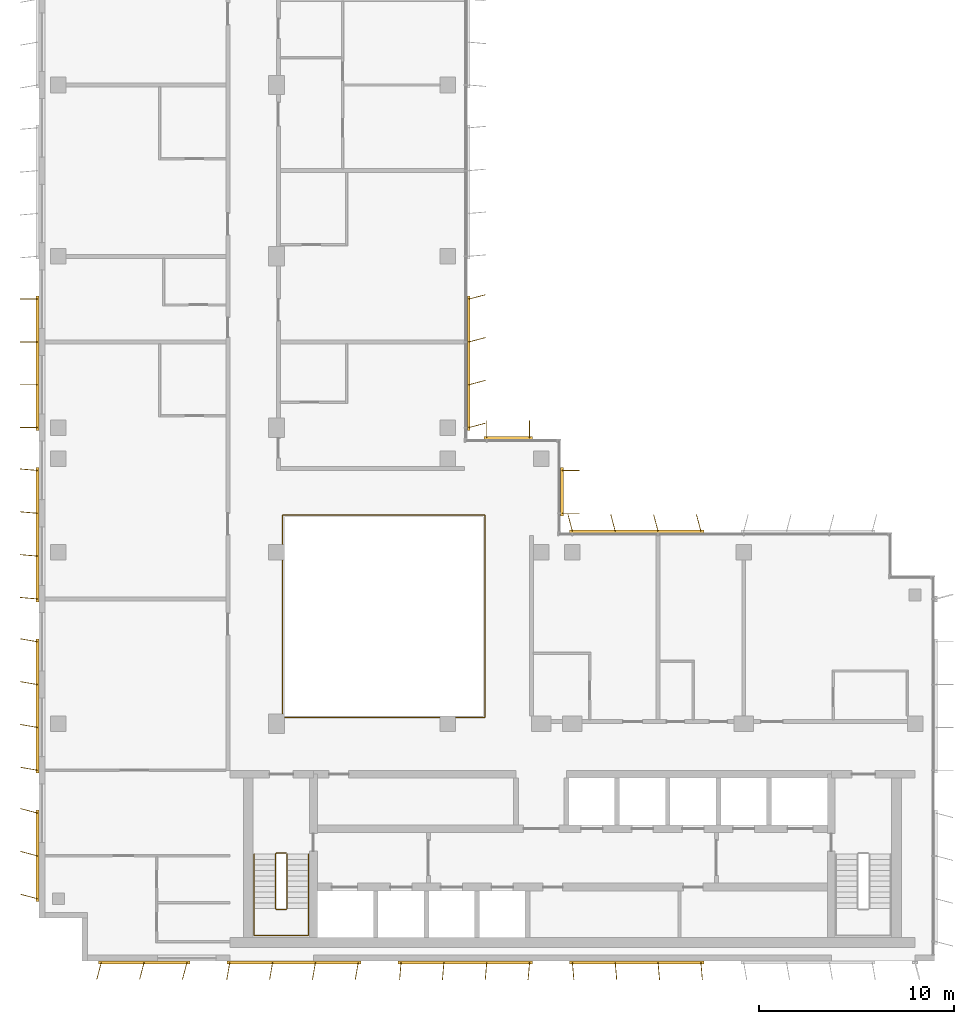
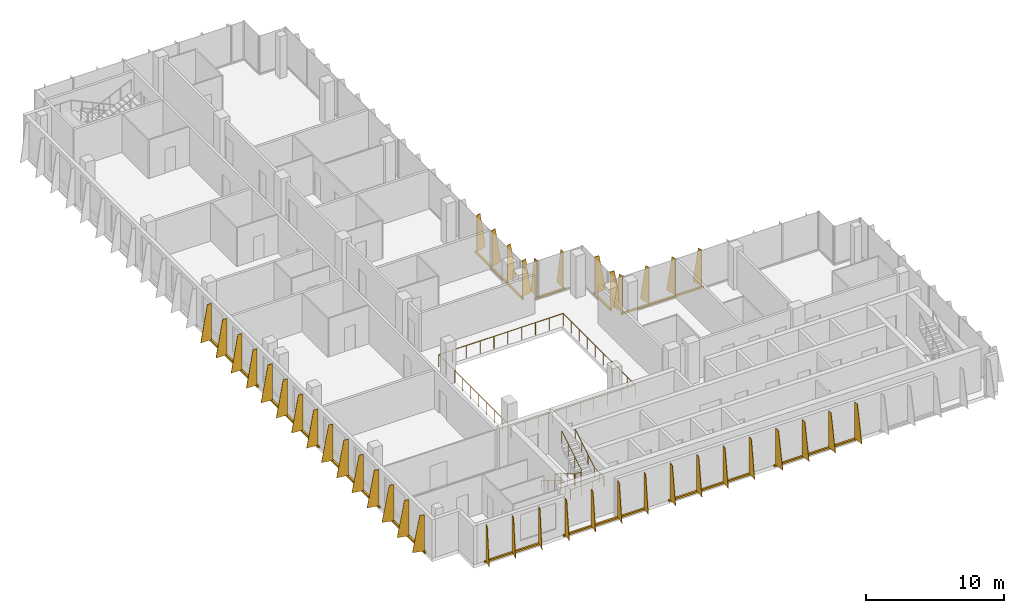
# One storey, part 13 of 15: 12 shading devices, 3 railings.
"""IFC4 building model written with IfcOpenShell, lengths in metres."""

from ifc_helpers import new_model, si_unit, direction, frame, origin, origin_2d, place, context, subcontext, project, spatial, polyline, rectangle, circle, outline, extrude, source, transform, mapped, material, layer, layer_set, type_object, element, save


model = new_model("IFC4")

# Units and contexts
model_context = context("Model", 3, precision=1e-05, world=origin(), true_north=direction((0.0, 1.0)))
body_context = subcontext(model_context, "Body", "Model", "MODEL_VIEW")
ifc_project = project(units=[si_unit("LENGTHUNIT", "METRE"), si_unit("AREAUNIT", "SQUARE_METRE"), si_unit("VOLUMEUNIT", "CUBIC_METRE"), si_unit("PLANEANGLEUNIT", "RADIAN"), si_unit("MASSUNIT", "GRAM", prefix="KILO")], contexts=[model_context])

# Site, building, storey
site_placement = place(None, origin())
site = spatial("IfcSite", under=ifc_project, at=site_placement, CompositionType="ELEMENT")
building_placement = place(site_placement, origin())
building = spatial("IfcBuilding", under=site, at=building_placement, Name="Kemantara Hotel Tower", CompositionType="ELEMENT")
storey_placement = place(building_placement, frame((0.0, 0.0, 261.10009765625)))
storey = spatial("IfcBuildingStorey", under=building, at=storey_placement, Name="L65", CompositionType="ELEMENT", Elevation=261.10009765625)

# Railings
ifc_material_1 = material(Name="Stainless steel and laminated glass balustrade", Category="steel")
railing_type_1 = type_object("IfcRailingType", Name="ATRIUM GUARD 1100", PredefinedType="GUARDRAIL", material=ifc_material_1)
railing_1_placement = place(storey_placement, frame((12.56005859375, 12.5, 0.0)))
element("IfcRailing", 1, at=railing_1_placement, inside=storey, type_object=railing_type_1, Name="ATRIUM GUARD L65", PredefinedType="GUARDRAIL", context=body_context, shape_type="SweptSolid", body=[
    extrude(circle(Radius=0.02490234375, at=origin_2d()), frame((0.0, 0.0, 1.0751953125), z_axis=(1.0, 0.0, 0.0), x_axis=(0.0, 1.0, 0.0)), (0.0, 0.0, 1.0), 10.33984375),
    extrude(circle(Radius=0.02490234375, at=origin_2d()), frame((10.33984375, 0.0, 1.0751953125), z_axis=(0.0, 1.0, 0.0), x_axis=(-1.0, 0.0, 0.0)), (0.0, 0.0, 1.0), 10.39990234375),
    extrude(circle(Radius=0.02490234375, at=origin_2d()), frame((10.33984375, 10.39990234375, 1.0751953125), z_axis=(-1.0, 0.0, 0.0), x_axis=(0.0, -1.0, 0.0)), (0.0, 0.0, 1.0), 10.39990234375),
    extrude(circle(Radius=0.02490234375, at=origin_2d()), frame((-0.06005859375, 10.39990234375, 1.0751953125), z_axis=(0.0, -1.0, 0.0), x_axis=(1.0, 0.0, 0.0)), (0.0, 0.0, 1.0), 10.39990234375),
    extrude(circle(Radius=0.02001953125, at=origin_2d()), origin(), (0.0, 0.0, 1.0), 1.050048828125),
    extrude(circle(Radius=0.02001953125, at=origin_2d()), frame((1.14892578125, 0.0, 0.0)), (0.0, 0.0, 1.0), 1.050048828125),
    extrude(circle(Radius=0.02001953125, at=origin_2d()), frame((2.2978515625, 0.0, 0.0)), (0.0, 0.0, 1.0), 1.050048828125),
    extrude(circle(Radius=0.02001953125, at=origin_2d()), frame((3.446533203125, 0.0, 0.0)), (0.0, 0.0, 1.0), 1.050048828125),
    extrude(circle(Radius=0.02001953125, at=origin_2d()), frame((4.595458984375, 0.0, 0.0)), (0.0, 0.0, 1.0), 1.050048828125),
    extrude(circle(Radius=0.02001953125, at=origin_2d()), frame((5.744384765625, 0.0, 0.0)), (0.0, 0.0, 1.0), 1.050048828125),
    extrude(circle(Radius=0.02001953125, at=origin_2d()), frame((6.893310546875, 0.0, 0.0)), (0.0, 0.0, 1.0), 1.050048828125),
    extrude(circle(Radius=0.02001953125, at=origin_2d()), frame((8.0419921875, 0.0, 0.0)), (0.0, 0.0, 1.0), 1.050048828125),
    extrude(circle(Radius=0.02001953125, at=origin_2d()), frame((9.19091796875, 0.0, 0.0)), (0.0, 0.0, 1.0), 1.050048828125),
    extrude(circle(Radius=0.02001953125, at=origin_2d()), frame((10.33984375, 0.0, 0.0)), (0.0, 0.0, 1.0), 1.050048828125),
    extrude(circle(Radius=0.02001953125, at=origin_2d()), frame((10.33984375, 1.155517578125, 0.0)), (0.0, 0.0, 1.0), 1.050048828125),
    extrude(circle(Radius=0.02001953125, at=origin_2d()), frame((10.33984375, 2.31103515625, 0.0)), (0.0, 0.0, 1.0), 1.050048828125),
    extrude(circle(Radius=0.02001953125, at=origin_2d()), frame((10.33984375, 3.466552734375, 0.0)), (0.0, 0.0, 1.0), 1.050048828125),
    extrude(circle(Radius=0.02001953125, at=origin_2d()), frame((10.33984375, 4.6220703125, 0.0)), (0.0, 0.0, 1.0), 1.050048828125),
    extrude(circle(Radius=0.02001953125, at=origin_2d()), frame((10.33984375, 5.77783203125, 0.0)), (0.0, 0.0, 1.0), 1.050048828125),
    extrude(circle(Radius=0.02001953125, at=origin_2d()), frame((10.33984375, 6.933349609375, 0.0)), (0.0, 0.0, 1.0), 1.050048828125),
    extrude(circle(Radius=0.02001953125, at=origin_2d()), frame((10.33984375, 8.0888671875, 0.0)), (0.0, 0.0, 1.0), 1.050048828125),
    extrude(circle(Radius=0.02001953125, at=origin_2d()), frame((10.33984375, 9.244384765625, 0.0)), (0.0, 0.0, 1.0), 1.050048828125),
    extrude(circle(Radius=0.02001953125, at=origin_2d()), frame((10.33984375, 10.39990234375, 0.0)), (0.0, 0.0, 1.0), 1.050048828125),
    extrude(circle(Radius=0.02001953125, at=origin_2d()), frame((9.184326171875, 10.39990234375, 0.0)), (0.0, 0.0, 1.0), 1.050048828125),
    extrude(circle(Radius=0.02001953125, at=origin_2d()), frame((8.02880859375, 10.39990234375, 0.0)), (0.0, 0.0, 1.0), 1.050048828125),
    extrude(circle(Radius=0.02001953125, at=origin_2d()), frame((6.873291015625, 10.39990234375, 0.0)), (0.0, 0.0, 1.0), 1.050048828125),
    extrude(circle(Radius=0.02001953125, at=origin_2d()), frame((5.7177734375, 10.39990234375, 0.0)), (0.0, 0.0, 1.0), 1.050048828125),
    extrude(circle(Radius=0.02001953125, at=origin_2d()), frame((4.56201171875, 10.39990234375, 0.0)), (0.0, 0.0, 1.0), 1.050048828125),
    extrude(circle(Radius=0.02001953125, at=origin_2d()), frame((3.406494140625, 10.39990234375, 0.0)), (0.0, 0.0, 1.0), 1.050048828125),
    extrude(circle(Radius=0.02001953125, at=origin_2d()), frame((2.2509765625, 10.39990234375, 0.0)), (0.0, 0.0, 1.0), 1.050048828125),
    extrude(circle(Radius=0.02001953125, at=origin_2d()), frame((1.095458984375, 10.39990234375, 0.0)), (0.0, 0.0, 1.0), 1.050048828125),
    extrude(circle(Radius=0.02001953125, at=origin_2d()), frame((-0.06005859375, 10.39990234375, 0.0)), (0.0, 0.0, 1.0), 1.050048828125),
    extrude(circle(Radius=0.02001953125, at=origin_2d()), frame((-0.06005859375, 9.244384765625, 0.0)), (0.0, 0.0, 1.0), 1.050048828125),
    extrude(circle(Radius=0.02001953125, at=origin_2d()), frame((-0.06005859375, 8.0888671875, 0.0)), (0.0, 0.0, 1.0), 1.050048828125),
    extrude(circle(Radius=0.02001953125, at=origin_2d()), frame((-0.06005859375, 6.933349609375, 0.0)), (0.0, 0.0, 1.0), 1.050048828125),
    extrude(circle(Radius=0.02001953125, at=origin_2d()), frame((-0.06005859375, 5.77783203125, 0.0)), (0.0, 0.0, 1.0), 1.050048828125),
    extrude(circle(Radius=0.02001953125, at=origin_2d()), frame((-0.06005859375, 4.6220703125, 0.0)), (0.0, 0.0, 1.0), 1.050048828125),
    extrude(circle(Radius=0.02001953125, at=origin_2d()), frame((-0.06005859375, 3.466552734375, 0.0)), (0.0, 0.0, 1.0), 1.050048828125),
    extrude(circle(Radius=0.02001953125, at=origin_2d()), frame((-0.06005859375, 2.31103515625, 0.0)), (0.0, 0.0, 1.0), 1.050048828125),
    extrude(circle(Radius=0.02001953125, at=origin_2d()), frame((-0.06005859375, 1.155517578125, 0.0)), (0.0, 0.0, 1.0), 1.050048828125),
    extrude(circle(Radius=0.02001953125, at=origin_2d()), frame((-0.06005859375, 0.0, 0.0)), (0.0, 0.0, 1.0), 1.050048828125),
])
ifc_material_2 = material(Name="Stainless steel balustrade", Category="steel")
railing_type_2 = type_object("IfcRailingType", Name="Stair guard 1100 mm", PredefinedType="GUARDRAIL", material=ifc_material_2)
railing_2_placement = place(storey_placement, frame((12.75, 5.5, 3.699951171875)))
element("IfcRailing", 2, at=railing_2_placement, inside=storey, type_object=railing_type_2, Name="L65 ST1 stair guard 1", PredefinedType="GUARDRAIL", context=body_context, shape_type="SweptSolid", body=[
    extrude(circle(Radius=0.02392578125, at=origin_2d()), frame((0.0, 0.0, 1.076171875), z_axis=(0.0, -0.857242210791, -0.514913383045), x_axis=(1.0, 0.0, 0.0)), (0.0, 0.0, 1.0), 3.266357421875),
    extrude(circle(Radius=0.02392578125, at=origin_2d()), frame((0.0, -2.800048828125, -0.60595703125), z_axis=(-0.274243871929, -0.274243871929, -0.92172696468), x_axis=(0.707106781187, -0.707106781187, 0.0)), (0.0, 0.0, 1.0), 0.1826171875),
    extrude(circle(Radius=0.02392578125, at=origin_2d()), frame((-0.050048828125, -2.85009765625, -0.77392578125), z_axis=(-1.0, 0.0, 0.0), x_axis=(0.0, -1.0, 0.0)), (0.0, 0.0, 1.0), 0.5),
    extrude(circle(Radius=0.02392578125, at=origin_2d()), frame((-0.550048828125, -2.85009765625, -0.77392578125), z_axis=(-0.707106781187, 0.707106781187, 0.0), x_axis=(-0.707106781187, -0.707106781187, 0.0)), (0.0, 0.0, 1.0), 0.07080078125),
    extrude(circle(Radius=0.02392578125, at=origin_2d()), frame((-0.60009765625, -2.800048828125, -0.77392578125), z_axis=(0.0, 0.857242210791, -0.514913383045), x_axis=(-1.0, 0.0, 0.0)), (0.0, 0.0, 1.0), 3.266357421875),
    extrude(circle(Radius=0.02392578125, at=origin_2d()), frame((-0.60009765625, 0.0, -2.4560546875), z_axis=(0.274582412415, 0.274582412415, -0.921525364591), x_axis=(-0.707106781187, 0.707106781187, 0.0)), (0.0, 0.0, 1.0), 0.182373046875),
    extrude(circle(Radius=0.02392578125, at=origin_2d()), frame((-0.550048828125, 0.050048828125, -2.6240234375), z_axis=(1.0, 0.0, 0.0), x_axis=(0.0, 1.0, 0.0)), (0.0, 0.0, 1.0), 0.5),
    extrude(circle(Radius=0.02099609375, at=origin_2d()), origin(), (0.0, 0.0, 1.0), 1.052001953125),
    extrude(circle(Radius=0.02099609375, at=origin_2d()), frame((0.0, -0.933349609375, -0.560546875)), (0.0, 0.0, 1.0), 1.052001953125),
    extrude(circle(Radius=0.02099609375, at=origin_2d()), frame((0.0, -1.86669921875, -1.121337890625)), (0.0, 0.0, 1.0), 1.052001953125),
    extrude(circle(Radius=0.02099609375, at=origin_2d()), frame((0.0, -2.800048828125, -1.681884765625)), (0.0, 0.0, 1.0), 1.052001953125),
    extrude(circle(Radius=0.02099609375, at=origin_2d()), frame((-0.050048828125, -2.85009765625, -1.85009765625)), (0.0, 0.0, 1.0), 1.052001953125),
    extrude(circle(Radius=0.02099609375, at=origin_2d()), frame((-0.550048828125, -2.85009765625, -1.85009765625)), (0.0, 0.0, 1.0), 1.052001953125),
    extrude(circle(Radius=0.02099609375, at=origin_2d()), frame((-0.60009765625, -2.800048828125, -1.85009765625)), (0.0, 0.0, 1.0), 1.052001953125),
    extrude(circle(Radius=0.02099609375, at=origin_2d()), frame((-0.60009765625, -1.86669921875, -2.41064453125)), (0.0, 0.0, 1.0), 1.052001953125),
    extrude(circle(Radius=0.02099609375, at=origin_2d()), frame((-0.60009765625, -0.933349609375, -2.971435546875)), (0.0, 0.0, 1.0), 1.052001953125),
    extrude(circle(Radius=0.02099609375, at=origin_2d()), frame((-0.60009765625, 0.0, -3.531982421875)), (0.0, 0.0, 1.0), 1.052001953125),
    extrude(circle(Radius=0.02099609375, at=origin_2d()), frame((-0.550048828125, 0.050048828125, -3.699951171875)), (0.0, 0.0, 1.0), 1.052001953125),
    extrude(circle(Radius=0.02099609375, at=origin_2d()), frame((-0.050048828125, 0.050048828125, -3.699951171875)), (0.0, 0.0, 1.0), 1.052001953125),
])
railing_type_3 = type_object("IfcRailingType", Name="Stair handrail 900 mm", PredefinedType="HANDRAIL", material=ifc_material_2)
railing_3_placement = place(storey_placement, frame((11.050048828125, 5.5, 0.16796875)))
element("IfcRailing", 3, at=railing_3_placement, inside=storey, type_object=railing_type_3, Name="L65 ST1 stair handrail 1", PredefinedType="HANDRAIL", context=body_context, shape_type="SweptSolid", body=[
    extrude(circle(Radius=0.02392578125, at=origin_2d()), frame((0.0, 0.0, 0.8759765625), z_axis=(0.0, -0.857242210791, 0.514913383045), x_axis=(1.0, 0.0, 0.0)), (0.0, 0.0, 1.0), 3.266357421875),
    extrude(circle(Radius=0.02392578125, at=origin_2d()), frame((0.0, -2.800048828125, 2.5576171875), z_axis=(0.0, -1.0, 0.0), x_axis=(1.0, 0.0, 0.0)), (0.0, 0.0, 1.0), 1.3798828125),
    extrude(circle(Radius=0.02392578125, at=origin_2d()), frame((0.0, -4.179931640625, 2.5576171875), z_axis=(0.998200367801, 0.0, 0.059966871865), x_axis=(0.0, 1.0, 0.0)), (0.0, 0.0, 1.0), 2.80517578125),
    extrude(circle(Radius=0.02392578125, at=origin_2d()), frame((2.800048828125, -4.179931640625, 2.72607421875), z_axis=(0.0, 1.0, 0.0), x_axis=(-1.0, 0.0, 0.0)), (0.0, 0.0, 1.0), 1.3798828125),
    extrude(circle(Radius=0.02392578125, at=origin_2d()), frame((2.800048828125, -2.800048828125, 2.72607421875), z_axis=(0.0, 0.857242210791, 0.514913383045), x_axis=(-1.0, 0.0, 0.0)), (0.0, 0.0, 1.0), 3.266357421875),
    extrude(circle(Radius=0.02099609375, at=origin_2d()), origin(), (0.0, 0.0, 1.0), 0.851806640625),
    extrude(circle(Radius=0.02099609375, at=origin_2d()), frame((0.0, -0.933349609375, 0.560546875)), (0.0, 0.0, 1.0), 0.851806640625),
    extrude(circle(Radius=0.02099609375, at=origin_2d()), frame((0.0, -1.86669921875, 1.121337890625)), (0.0, 0.0, 1.0), 0.851806640625),
    extrude(circle(Radius=0.02099609375, at=origin_2d()), frame((0.0, -2.800048828125, 1.681884765625)), (0.0, 0.0, 1.0), 0.851806640625),
    extrude(circle(Radius=0.02099609375, at=origin_2d()), frame((0.0, -3.489990234375, 1.681884765625)), (0.0, 0.0, 1.0), 0.851806640625),
    extrude(circle(Radius=0.02099609375, at=origin_2d()), frame((0.0, -4.179931640625, 1.681884765625)), (0.0, 0.0, 1.0), 0.851806640625),
    extrude(circle(Radius=0.02099609375, at=origin_2d()), frame((0.933349609375, -4.179931640625, 1.738037109375)), (0.0, 0.0, 1.0), 0.851806640625),
    extrude(circle(Radius=0.02099609375, at=origin_2d()), frame((1.86669921875, -4.179931640625, 1.7939453125)), (0.0, 0.0, 1.0), 0.851806640625),
    extrude(circle(Radius=0.02099609375, at=origin_2d()), frame((2.800048828125, -4.179931640625, 1.85009765625)), (0.0, 0.0, 1.0), 0.851806640625),
    extrude(circle(Radius=0.02099609375, at=origin_2d()), frame((2.800048828125, -3.489990234375, 1.85009765625)), (0.0, 0.0, 1.0), 0.851806640625),
    extrude(circle(Radius=0.02099609375, at=origin_2d()), frame((2.800048828125, -2.800048828125, 1.85009765625)), (0.0, 0.0, 1.0), 0.851806640625),
    extrude(circle(Radius=0.02099609375, at=origin_2d()), frame((2.800048828125, -1.86669921875, 2.41064453125)), (0.0, 0.0, 1.0), 0.851806640625),
    extrude(circle(Radius=0.02099609375, at=origin_2d()), frame((2.800048828125, -0.933349609375, 2.971435546875)), (0.0, 0.0, 1.0), 0.851806640625),
    extrude(circle(Radius=0.02099609375, at=origin_2d()), frame((2.800048828125, 0.0, 3.531982421875)), (0.0, 0.0, 1.0), 0.851806640625),
])

# Shading devices
ifc_material_3 = material(Name="Perforated aluminium plate 4 mm bronze anodised", Category="aluminium")
ifc_layer_1 = layer(ifc_material_3, 0.0400390625)
ifc_layer_set_1 = layer_set([ifc_layer_1], Name="Perforated aluminium plate 4 mm bronze anodised")
shading_device_type_1 = type_object("IfcShadingDeviceType", Name="SCREEN FIN CASSETTE, 3 BLADES AT -15.0 DEG, 3200 HIGH", PredefinedType="USERDEFINED", material=ifc_layer_set_1)
shared_shape_1 = source(origin(), body_context, "Body", "SweptSolid", [
    extrude(rectangle(XDim=4.699951171875, YDim=0.14990234375, at=origin_2d()), frame((2.199951171875, -0.074951171875, -0.14990234375), z_axis=(0.0, 0.0, 1.0), x_axis=(1.0, 0.0, 0.0)), (0.0, 0.0, 1.0), 0.14990234375),
    extrude(outline(polyline([(0.0, 0.0), (0.89990234375, 0.0), (0.35009765625, 3.199951171875), (0.0, 3.199951171875), (0.0, 0.0)])), frame((0.019287109375, -0.080078125, 0.0), z_axis=(-0.966437683387, 0.256901156343, 0.0), x_axis=(-0.256901156343, -0.966437683387, 0.0)), (0.0, 0.0, 1.0), 0.039794921875),
    extrude(outline(polyline([(0.0, 0.0), (0.89990234375, 0.0), (0.35009765625, 3.199951171875), (0.0, 3.199951171875), (0.0, 0.0)])), frame((2.21923828125, -0.080078125, 0.0), z_axis=(-0.966437683387, 0.256901156343, 0.0), x_axis=(-0.256901156343, -0.966437683387, 0.0)), (0.0, 0.0, 1.0), 0.039794921875),
    extrude(outline(polyline([(0.0, 0.0), (0.89990234375, 0.0), (0.35009765625, 3.199951171875), (0.0, 3.199951171875), (0.0, 0.0)])), frame((4.41943359375, -0.080078125, 0.0), z_axis=(-0.966837822169, 0.255391122837, 0.0), x_axis=(-0.255391122837, -0.966837822169, 0.0)), (0.0, 0.0, 1.0), 0.0400390625),
])
for number, where, z_axis, x_axis, name in (
    (4, (0.0, 7.60009765625, 0.099853515625), (0.0, 0.0, 1.0), (0.0, -1.0, 0.0), "SCREEN FIN CASSETTE L65 T4-R05-7"),
    (5, (3.199951171875, 0.0, 0.099853515625), (0.0, 0.0, 1.0), (1.0, 0.0, 0.0), "SCREEN FIN CASSETTE L65 T4-R08-1"),
):
    element("IfcShadingDevice", number, at=place(storey_placement, frame(where, z_axis=z_axis, x_axis=x_axis)), inside=storey, type_object=shading_device_type_1, Name=name, ObjectType="SCREEN FIN", PredefinedType="USERDEFINED", context=body_context, shape_type="MappedRepresentation", body=[
        mapped(shared_shape_1, transform((0.0, 0.0, 0.0))),
    ])
ifc_layer_2 = layer(ifc_material_3, 0.0400390625)
ifc_layer_set_2 = layer_set([ifc_layer_2], Name="Perforated aluminium plate 4 mm bronze anodised")
shading_device_type_2 = type_object("IfcShadingDeviceType", Name="SCREEN FIN CASSETTE, 4 BLADES AT -10.0 DEG, 3200 HIGH", PredefinedType="USERDEFINED", material=ifc_layer_set_2)
shared_shape_2 = source(origin(), body_context, "Body", "SweptSolid", [
    extrude(rectangle(XDim=6.89990234375, YDim=0.14990234375, at=origin_2d()), frame((3.300048828125, -0.074951171875, -0.14990234375), z_axis=(0.0, 0.0, 1.0), x_axis=(1.0, 0.0, 0.0)), (0.0, 0.0, 1.0), 0.14990234375),
    extrude(outline(polyline([(0.0, 0.0), (0.89990234375, 0.0), (0.35009765625, 3.199951171875), (0.0, 3.199951171875), (0.0, 0.0)])), frame((0.019775390625, -0.078369140625, 0.0), z_axis=(-0.985389793052, 0.170314285219, 0.0), x_axis=(-0.170314285219, -0.985389793052, 0.0)), (0.0, 0.0, 1.0), 0.0400390625),
    extrude(outline(polyline([(0.0, 0.0), (0.89990234375, 0.0), (0.35009765625, 3.199951171875), (0.0, 3.199951171875), (0.0, 0.0)])), frame((2.2197265625, -0.078369140625, 0.0), z_axis=(-0.98521175482, 0.171341174751, 0.0), x_axis=(-0.171341174751, -0.98521175482, 0.0)), (0.0, 0.0, 1.0), 0.039794921875),
    extrude(outline(polyline([(0.0, 0.0), (0.89990234375, 0.0), (0.35009765625, 3.199951171875), (0.0, 3.199951171875), (0.0, 0.0)])), frame((4.419677734375, -0.078369140625, 0.0), z_axis=(-0.98521175482, 0.171341174751, 0.0), x_axis=(-0.171341174751, -0.98521175482, 0.0)), (0.0, 0.0, 1.0), 0.039794921875),
    extrude(outline(polyline([(0.0, 0.0), (0.89990234375, 0.0), (0.35009765625, 3.199951171875), (0.0, 3.199951171875), (0.0, 0.0)])), frame((6.61962890625, -0.078369140625, 0.0), z_axis=(-0.98521175482, 0.171341174751, 0.0), x_axis=(-0.171341174751, -0.98521175482, 0.0)), (0.0, 0.0, 1.0), 0.039794921875),
])
for number, where, z_axis, x_axis, name in (
    (6, (0.0, 16.39990234375, 0.099853515625), (0.0, 0.0, 1.0), (0.0, -1.0, 0.0), "SCREEN FIN CASSETTE L65 T4-R05-6"),
    (7, (9.800048828125, 0.0, 0.099853515625), (0.0, 0.0, 1.0), (1.0, 0.0, 0.0), "SCREEN FIN CASSETTE L65 T4-R08-2"),
):
    element("IfcShadingDevice", number, at=place(storey_placement, frame(where, z_axis=z_axis, x_axis=x_axis)), inside=storey, type_object=shading_device_type_2, Name=name, ObjectType="SCREEN FIN", PredefinedType="USERDEFINED", context=body_context, shape_type="MappedRepresentation", body=[
        mapped(shared_shape_2, transform((0.0, 0.0, 0.0))),
    ])
ifc_layer_3 = layer(ifc_material_3, 0.0400390625)
ifc_layer_set_3 = layer_set([ifc_layer_3], Name="Perforated aluminium plate 4 mm bronze anodised")
shading_device_type_3 = type_object("IfcShadingDeviceType", Name="SCREEN FIN CASSETTE, 4 BLADES AT -5.0 DEG, 3200 HIGH", PredefinedType="USERDEFINED", material=ifc_layer_set_3)
shared_shape_3 = source(origin(), body_context, "Body", "SweptSolid", [
    extrude(rectangle(XDim=6.89990234375, YDim=0.14990234375, at=origin_2d()), frame((3.300048828125, -0.074951171875, -0.14990234375), z_axis=(0.0, 0.0, 1.0), x_axis=(1.0, 0.0, 0.0)), (0.0, 0.0, 1.0), 0.14990234375),
    extrude(outline(polyline([(0.0, 0.0), (0.89990234375, 0.0), (0.35009765625, 3.199951171875), (0.0, 3.199951171875), (0.0, 0.0)])), frame((0.02001953125, -0.07666015625, 0.0), z_axis=(-0.996376129781, 0.085056498884, 0.0), x_axis=(-0.085056498884, -0.996376129781, 0.0)), (0.0, 0.0, 1.0), 0.040283203125),
    extrude(outline(polyline([(0.0, 0.0), (0.89990234375, 0.0), (0.35009765625, 3.199951171875), (0.0, 3.199951171875), (0.0, 0.0)])), frame((2.219970703125, -0.07666015625, 0.0), z_axis=(-0.996331773833, 0.085574508182, 0.0), x_axis=(-0.085574508182, -0.996331773833, 0.0)), (0.0, 0.0, 1.0), 0.0400390625),
    extrude(outline(polyline([(0.0, 0.0), (0.89990234375, 0.0), (0.35009765625, 3.199951171875), (0.0, 3.199951171875), (0.0, 0.0)])), frame((4.419921875, -0.07666015625, 0.0), z_axis=(-0.996331773833, 0.085574508182, 0.0), x_axis=(-0.085574508182, -0.996331773833, 0.0)), (0.0, 0.0, 1.0), 0.0400390625),
    extrude(outline(polyline([(0.0, 0.0), (0.89990234375, 0.0), (0.35009765625, 3.199951171875), (0.0, 3.199951171875), (0.0, 0.0)])), frame((6.619873046875, -0.07666015625, 0.0), z_axis=(-0.996331773833, 0.085574508182, 0.0), x_axis=(-0.085574508182, -0.996331773833, 0.0)), (0.0, 0.0, 1.0), 0.0400390625),
])
for number, where, z_axis, x_axis, name in (
    (8, (0.0, 25.199951171875, 0.099853515625), (0.0, 0.0, 1.0), (0.0, -1.0, 0.0), "SCREEN FIN CASSETTE L65 T4-R05-5"),
    (9, (18.60009765625, 0.0, 0.099853515625), (0.0, 0.0, 1.0), (1.0, 0.0, 0.0), "SCREEN FIN CASSETTE L65 T4-R08-3"),
):
    element("IfcShadingDevice", number, at=place(storey_placement, frame(where, z_axis=z_axis, x_axis=x_axis)), inside=storey, type_object=shading_device_type_3, Name=name, ObjectType="SCREEN FIN", PredefinedType="USERDEFINED", context=body_context, shape_type="MappedRepresentation", body=[
        mapped(shared_shape_3, transform((0.0, 0.0, 0.0))),
    ])
ifc_layer_4 = layer(ifc_material_3, 0.0400390625)
ifc_layer_set_4 = layer_set([ifc_layer_4], Name="Perforated aluminium plate 4 mm bronze anodised")
shading_device_type_4 = type_object("IfcShadingDeviceType", Name="SCREEN FIN CASSETTE, 4 BLADES AT +0.0 DEG, 3200 HIGH", PredefinedType="USERDEFINED", material=ifc_layer_set_4)
shared_shape_4 = source(origin(), body_context, "Body", "SweptSolid", [
    extrude(rectangle(XDim=6.89990234375, YDim=0.14990234375, at=origin_2d()), frame((3.300048828125, -0.074951171875, -0.14990234375), z_axis=(0.0, 0.0, 1.0), x_axis=(1.0, 0.0, 0.0)), (0.0, 0.0, 1.0), 0.14990234375),
    extrude(outline(polyline([(0.0, 0.0), (0.89990234375, 0.0), (0.35009765625, 3.199951171875), (0.0, 3.199951171875), (0.0, 0.0)])), frame((0.02001953125, -0.074951171875, 0.0), z_axis=(-1.0, 0.0, 0.0), x_axis=(0.0, -1.0, 0.0)), (0.0, 0.0, 1.0), 0.0400390625),
    extrude(outline(polyline([(0.0, 0.0), (0.89990234375, 0.0), (0.35009765625, 3.199951171875), (0.0, 3.199951171875), (0.0, 0.0)])), frame((2.219970703125, -0.074951171875, 0.0), z_axis=(-1.0, 0.0, 0.0), x_axis=(0.0, -1.0, 0.0)), (0.0, 0.0, 1.0), 0.0400390625),
    extrude(outline(polyline([(0.0, 0.0), (0.89990234375, 0.0), (0.35009765625, 3.199951171875), (0.0, 3.199951171875), (0.0, 0.0)])), frame((4.419921875, -0.074951171875, 0.0), z_axis=(-1.0, 0.0, 0.0), x_axis=(0.0, -1.0, 0.0)), (0.0, 0.0, 1.0), 0.0400390625),
    extrude(outline(polyline([(0.0, 0.0), (0.89990234375, 0.0), (0.35009765625, 3.199951171875), (0.0, 3.199951171875), (0.0, 0.0)])), frame((6.6201171875, -0.074951171875, 0.0), z_axis=(-1.0, 0.0, 0.0), x_axis=(0.0, -1.0, 0.0)), (0.0, 0.0, 1.0), 0.0400390625),
])
shading_device_1_placement = place(storey_placement, frame((0.0, 34.0, 0.099853515625), z_axis=(0.0, 0.0, 1.0), x_axis=(0.0, -1.0, 0.0)))
element("IfcShadingDevice", 10, at=shading_device_1_placement, inside=storey, type_object=shading_device_type_4, Name="SCREEN FIN CASSETTE L65 T4-R05-4", ObjectType="SCREEN FIN", PredefinedType="USERDEFINED", context=body_context, shape_type="MappedRepresentation", body=[
    mapped(shared_shape_4, transform((0.0, 0.0, 0.0))),
])
ifc_layer_5 = layer(ifc_material_3, 0.0400390625)
ifc_layer_set_5 = layer_set([ifc_layer_5], Name="Perforated aluminium plate 4 mm bronze anodised")
shading_device_type_5 = type_object("IfcShadingDeviceType", Name="SCREEN FIN CASSETTE, 4 BLADES AT +5.0 DEG, 3200 HIGH", PredefinedType="USERDEFINED", material=ifc_layer_set_5)
shared_shape_5 = source(origin(), body_context, "Body", "SweptSolid", [
    extrude(rectangle(XDim=6.89990234375, YDim=0.14990234375, at=origin_2d()), frame((3.300048828125, -0.074951171875, -0.14990234375), z_axis=(0.0, 0.0, 1.0), x_axis=(1.0, 0.0, 0.0)), (0.0, 0.0, 1.0), 0.14990234375),
    extrude(outline(polyline([(0.0, 0.0), (0.89990234375, 0.0), (0.35009765625, 3.199951171875), (0.0, 3.199951171875), (0.0, 0.0)])), frame((0.02001953125, -0.0732421875, 0.0), z_axis=(-0.996376129781, -0.085056498884, 0.0), x_axis=(0.085056498884, -0.996376129781, 0.0)), (0.0, 0.0, 1.0), 0.040283203125),
    extrude(outline(polyline([(0.0, 0.0), (0.89990234375, 0.0), (0.35009765625, 3.199951171875), (0.0, 3.199951171875), (0.0, 0.0)])), frame((2.219970703125, -0.0732421875, 0.0), z_axis=(-0.996331773833, -0.085574508182, 0.0), x_axis=(0.085574508182, -0.996331773833, 0.0)), (0.0, 0.0, 1.0), 0.0400390625),
    extrude(outline(polyline([(0.0, 0.0), (0.89990234375, 0.0), (0.35009765625, 3.199951171875), (0.0, 3.199951171875), (0.0, 0.0)])), frame((4.419921875, -0.0732421875, 0.0), z_axis=(-0.996331773833, -0.085574508182, 0.0), x_axis=(0.085574508182, -0.996331773833, 0.0)), (0.0, 0.0, 1.0), 0.0400390625),
    extrude(outline(polyline([(0.0, 0.0), (0.89990234375, 0.0), (0.35009765625, 3.199951171875), (0.0, 3.199951171875), (0.0, 0.0)])), frame((6.619873046875, -0.0732421875, 0.0), z_axis=(-0.996331773833, -0.085574508182, 0.0), x_axis=(0.085574508182, -0.996331773833, 0.0)), (0.0, 0.0, 1.0), 0.0400390625),
])
shading_device_2_placement = place(storey_placement, frame((27.39990234375, 0.0, 0.099853515625), z_axis=(0.0, 0.0, 1.0), x_axis=(1.0, 0.0, 0.0)))
element("IfcShadingDevice", 11, at=shading_device_2_placement, inside=storey, type_object=shading_device_type_5, Name="SCREEN FIN CASSETTE L65 T4-R08-4", ObjectType="SCREEN FIN", PredefinedType="USERDEFINED", context=body_context, shape_type="MappedRepresentation", body=[
    mapped(shared_shape_5, transform((0.0, 0.0, 0.0))),
])
ifc_layer_6 = layer(ifc_material_3, 0.0400390625)
ifc_layer_set_6 = layer_set([ifc_layer_6], Name="Perforated aluminium plate 4 mm bronze anodised")
shading_device_type_6 = type_object("IfcShadingDeviceType", Name="SCREEN FIN CASSETTE, 4 BLADES AT +15.0 DEG, 3200 HIGH", PredefinedType="USERDEFINED", material=ifc_layer_set_6)
shared_shape_6 = source(origin(), body_context, "Body", "SweptSolid", [
    extrude(rectangle(XDim=6.89990234375, YDim=0.14990234375, at=origin_2d()), frame((3.300048828125, -0.074951171875, -0.14990234375), z_axis=(0.0, 0.0, 1.0), x_axis=(1.0, 0.0, 0.0)), (0.0, 0.0, 1.0), 0.14990234375),
    extrude(outline(polyline([(0.0, 0.0), (0.89990234375, 0.0), (0.35009765625, 3.199951171875), (0.0, 3.199951171875), (0.0, 0.0)])), frame((0.019287109375, -0.06982421875, 0.0), z_axis=(-0.966437683387, -0.256901156343, 0.0), x_axis=(0.256901156343, -0.966437683387, 0.0)), (0.0, 0.0, 1.0), 0.039794921875),
    extrude(outline(polyline([(0.0, 0.0), (0.89990234375, 0.0), (0.35009765625, 3.199951171875), (0.0, 3.199951171875), (0.0, 0.0)])), frame((2.21923828125, -0.06982421875, 0.0), z_axis=(-0.966437683387, -0.256901156343, 0.0), x_axis=(0.256901156343, -0.966437683387, 0.0)), (0.0, 0.0, 1.0), 0.039794921875),
    extrude(outline(polyline([(0.0, 0.0), (0.89990234375, 0.0), (0.35009765625, 3.199951171875), (0.0, 3.199951171875), (0.0, 0.0)])), frame((4.41943359375, -0.06982421875, 0.0), z_axis=(-0.966837822169, -0.255391122837, 0.0), x_axis=(0.255391122837, -0.966837822169, 0.0)), (0.0, 0.0, 1.0), 0.0400390625),
    extrude(outline(polyline([(0.0, 0.0), (0.89990234375, 0.0), (0.35009765625, 3.199951171875), (0.0, 3.199951171875), (0.0, 0.0)])), frame((6.619384765625, -0.06982421875, 0.0), z_axis=(-0.966837822169, -0.255391122837, 0.0), x_axis=(0.255391122837, -0.966837822169, 0.0)), (0.0, 0.0, 1.0), 0.0400390625),
])
for number, where, z_axis, x_axis, name in (
    (12, (34.0, 22.0, 0.099853515625), (0.0, 0.0, 1.0), (-1.0, 0.0, 0.0), "SCREEN FIN CASSETTE L65 T4-R12-2"),
    (13, (22.0, 27.39990234375, 0.099853515625), (0.0, 0.0, 1.0), (0.0, 1.0, 0.0), "SCREEN FIN CASSETTE L65 T4-R15-1"),
):
    element("IfcShadingDevice", number, at=place(storey_placement, frame(where, z_axis=z_axis, x_axis=x_axis)), inside=storey, type_object=shading_device_type_6, Name=name, ObjectType="SCREEN FIN", PredefinedType="USERDEFINED", context=body_context, shape_type="MappedRepresentation", body=[
        mapped(shared_shape_6, transform((0.0, 0.0, 0.0))),
    ])
ifc_layer_7 = layer(ifc_material_3, 0.0400390625)
ifc_layer_set_7 = layer_set([ifc_layer_7], Name="Perforated aluminium plate 4 mm bronze anodised")
shading_device_type_7 = type_object("IfcShadingDeviceType", Name="SCREEN FIN CASSETTE, 2 BLADES AT +0.0 DEG, 3200 HIGH", PredefinedType="USERDEFINED", material=ifc_layer_set_7)
shared_shape_7 = source(origin(), body_context, "Body", "SweptSolid", [
    extrude(rectangle(XDim=2.5, YDim=0.14990234375, at=origin_2d()), frame((1.10009765625, -0.074951171875, -0.14990234375), z_axis=(0.0, 0.0, 1.0), x_axis=(1.0, 0.0, 0.0)), (0.0, 0.0, 1.0), 0.14990234375),
    extrude(outline(polyline([(0.0, 0.0), (0.89990234375, 0.0), (0.35009765625, 3.199951171875), (0.0, 3.199951171875), (0.0, 0.0)])), frame((0.02001953125, -0.074951171875, 0.0), z_axis=(-1.0, 0.0, 0.0), x_axis=(0.0, -1.0, 0.0)), (0.0, 0.0, 1.0), 0.0400390625),
    extrude(outline(polyline([(0.0, 0.0), (0.89990234375, 0.0), (0.35009765625, 3.199951171875), (0.0, 3.199951171875), (0.0, 0.0)])), frame((2.219970703125, -0.074951171875, 0.0), z_axis=(-1.0, 0.0, 0.0), x_axis=(0.0, -1.0, 0.0)), (0.0, 0.0, 1.0), 0.0400390625),
])
for number, where, z_axis, x_axis, name in (
    (14, (26.800048828125, 23.0, 0.099853515625), (0.0, 0.0, 1.0), (0.0, 1.0, 0.0), "SCREEN FIN CASSETTE L65 T4-R13-1"),
    (15, (25.199951171875, 26.800048828125, 0.099853515625), (0.0, 0.0, 1.0), (-1.0, 0.0, 0.0), "SCREEN FIN CASSETTE L65 T4-R14-1"),
):
    element("IfcShadingDevice", number, at=place(storey_placement, frame(where, z_axis=z_axis, x_axis=x_axis)), inside=storey, type_object=shading_device_type_7, Name=name, ObjectType="SCREEN FIN", PredefinedType="USERDEFINED", context=body_context, shape_type="MappedRepresentation", body=[
        mapped(shared_shape_7, transform((0.0, 0.0, 0.0))),
    ])

save(model, "model.ifc")
